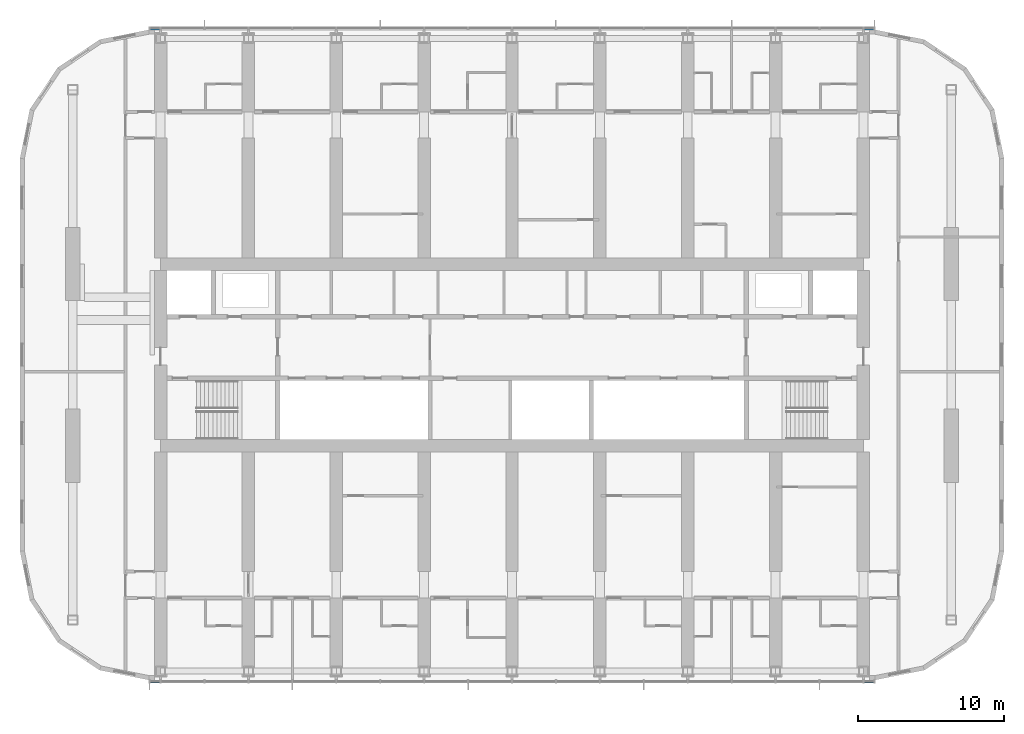
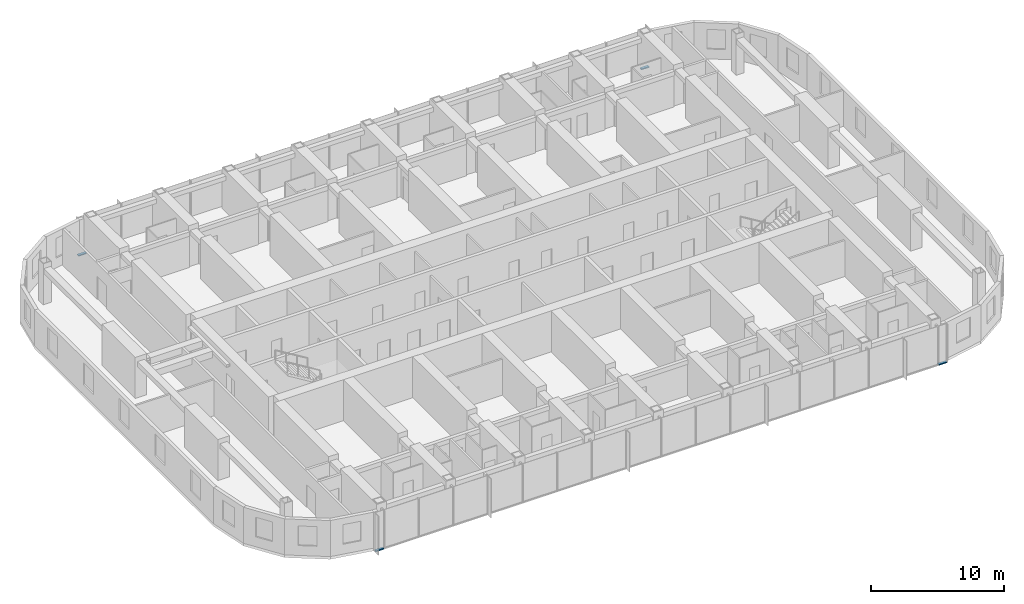
# One storey, part 6 of 22: 4 members, 2 elements without a shape of their own.
"""IFC4 building model written with IfcOpenShell, lengths in metres."""

import ifcopenshell
import ifcopenshell.guid

model = None  # the IFC model being written
_history = None  # IfcOwnerHistory: only IFC2X3 demands one
_inside = {}  # id of a spatial element -> (the spatial element, [elements in it])
_under = {}  # id of a project, library or spatial element -> (it, [spatial elements below it])
_declared = {}  # id of a project -> (the project, [libraries it declares])
_typed = {}  # id of a type object -> (the type object, [elements of that type])
_made_of = {}  # id of a material, layer set ... -> (it, [elements and type objects made of it])


def new_model(schema):
    """Start an empty IFC model of exactly this schema.

    Asked for "IFC4X3", IfcOpenShell would pick the latest addendum, in which some entities
    have other attributes; the version numbers below select the first issue.
    IFC2X3 requires an IfcOwnerHistory on every rooted entity: one is made here for all.
    """
    global model, _history
    if schema == "IFC4X3":
        model = ifcopenshell.file(schema_version=(4, 3, 0, 0))
    else:
        model = ifcopenshell.file(schema=schema)
    _inside.clear()
    _under.clear()
    _declared.clear()
    _typed.clear()
    _made_of.clear()
    _history = None
    if model.schema == "IFC2X3":
        org = make("IfcOrganization", Name="unknown")
        user = make(
            "IfcPersonAndOrganization",
            ThePerson=make("IfcPerson", FamilyName="unknown"),
            TheOrganization=org,
        )
        app = make(
            "IfcApplication",
            ApplicationDeveloper=org,
            Version="unknown",
            ApplicationFullName="unknown",
            ApplicationIdentifier="unknown",
        )
        _history = make(
            "IfcOwnerHistory",
            OwningUser=user,
            OwningApplication=app,
            ChangeAction="ADDED",
            CreationDate=0,
        )
    return model


def make(cls, **values):
    """One entity of the class cls with the attributes given. An attribute that is None is left unset."""
    return model.create_entity(
        cls, **{name: value for name, value in values.items() if value is not None}
    )


def rooted(cls, **values):
    """An entity with a GlobalId (a new one), such as an element, a storey or a relation."""
    return make(cls, GlobalId=ifcopenshell.guid.new(), OwnerHistory=_history, **values)


def si_unit(unit_type, name, prefix=None):
    """IfcSIUnit, for example si_unit("LENGTHUNIT", "METRE", prefix="MILLI")."""
    return make("IfcSIUnit", UnitType=unit_type, Prefix=prefix, Name=name)


def assignment(units):
    """IfcUnitAssignment: the units of a project."""
    return None if units is None else make("IfcUnitAssignment", Units=units)


def point(xyz):
    """IfcCartesianPoint."""
    return None if xyz is None else make("IfcCartesianPoint", Coordinates=xyz)


def direction(xyz):
    """IfcDirection."""
    return None if xyz is None else make("IfcDirection", DirectionRatios=xyz)


def frame(location, z_axis=None, x_axis=None):
    """IfcAxis2Placement3D, a coordinate frame: its origin and axes. An axis left out is left unset."""
    return make(
        "IfcAxis2Placement3D",
        Location=point(location),
        Axis=direction(z_axis),
        RefDirection=direction(x_axis),
    )


def frame_2d(location, x_axis=None):
    """IfcAxis2Placement2D, a coordinate frame in the plane: its origin and x axis."""
    return make(
        "IfcAxis2Placement2D", Location=point(location), RefDirection=direction(x_axis)
    )


def origin():
    """The frame at (0, 0, 0) with its axes left unset."""
    return frame((0.0, 0.0, 0.0))


def origin_2d():
    """The frame at (0, 0) in the plane with its x axis left unset."""
    return frame_2d((0.0, 0.0))


def place(relative_to, where):
    """IfcLocalPlacement: puts the frame where relative to a parent placement (None: the world)."""
    return make(
        "IfcLocalPlacement", PlacementRelTo=relative_to, RelativePlacement=where
    )


def context(
    kind, dimensions, precision=None, world=None, true_north=None, identifier=None
):
    """IfcGeometricRepresentationContext, for example the 3D "Model" context."""
    return make(
        "IfcGeometricRepresentationContext",
        ContextIdentifier=identifier,
        ContextType=kind,
        CoordinateSpaceDimension=dimensions,
        Precision=precision,
        WorldCoordinateSystem=world,
        TrueNorth=true_north,
    )


def subcontext(parent, identifier, kind, view, scale=None):
    """IfcGeometricRepresentationSubContext, for example "Body" below "Model"."""
    return make(
        "IfcGeometricRepresentationSubContext",
        ContextIdentifier=identifier,
        ContextType=kind,
        ParentContext=parent,
        TargetScale=scale,
        TargetView=view,
    )


def project(units=None, contexts=None):
    """IfcProject with its units and contexts."""
    return rooted(
        "IfcProject",
        Name="project",
        RepresentationContexts=contexts,
        UnitsInContext=assignment(units),
    )


def spatial(cls, under=None, at=None, **own):
    """A site, building, storey or space (cls), placed at a placement, below another one or the project."""
    s = rooted(cls, ObjectPlacement=at, **own)
    if under is not None:
        _under.setdefault(under.id(), (under, []))[1].append(s)
    return s


def profile(cls, at=None, kind="AREA", **sizes):
    """A parametric profile (cls). Its sizes go by their IFC names, for example OverallWidth=200.0."""
    return make(cls, ProfileType=kind, Position=at, **sizes)


def rectangle(**sizes):
    """IfcRectangleProfileDef."""
    return profile("IfcRectangleProfileDef", **sizes)


def extrude(swept, where, along, depth):
    """IfcExtrudedAreaSolid: the profile swept, set in the frame where, extruded along a direction by depth."""
    return make(
        "IfcExtrudedAreaSolid",
        SweptArea=swept,
        Position=where,
        ExtrudedDirection=direction(along),
        Depth=depth,
    )


def shape(context_of_items, identifier, shape_type, items):
    """IfcShapeRepresentation: the items that make up one representation, for example the "Body"."""
    return make(
        "IfcShapeRepresentation",
        ContextOfItems=context_of_items,
        RepresentationIdentifier=identifier,
        RepresentationType=shape_type,
        Items=items,
    )


def material(Name=None, Category=None):
    """IfcMaterial."""
    return make("IfcMaterial", Name=Name, Category=Category)


def material_profile(
    of_material, cross_section, Name=None, Category=None, Priority=None
):
    """IfcMaterialProfile: a cross section and its material."""
    return make(
        "IfcMaterialProfile",
        Name=Name,
        Material=of_material,
        Profile=cross_section,
        Priority=Priority,
        Category=Category,
    )


def profile_set(profiles, Name=None, composite=None):
    """IfcMaterialProfileSet."""
    return make(
        "IfcMaterialProfileSet",
        Name=Name,
        MaterialProfiles=profiles,
        CompositeProfile=composite,
    )


def made_of(thing, what):
    """Note that an element or type object is made of a material, layer set ...; save() writes the relation."""
    if what is not None:
        _made_of.setdefault(what.id(), (what, []))[1].append(thing)
    return thing


def type_object(cls, material=None, **own):
    """A type object (cls), such as IfcWallType, which elements share."""
    return made_of(rooted(cls, **own), material)


def element(
    cls,
    number,
    at=None,
    inside=None,
    cuts=None,
    type_object=None,
    material=None,
    context=None,
    identifier="Body",
    shape_type=None,
    held_by="IfcProductDefinitionShape",
    body=None,
    shapes=None,
    **own,
):
    """One element of the class cls, such as IfcWall. Its Tag is "e" and its number.

    at: its placement. inside: the storey or other place that contains it. cuts: it is an
    opening in that element (IfcRelVoidsElement). A single representation is given by context,
    identifier, shape_type and body (its items); several are given by shapes. held_by: the class
    of the entity that holds the representations. save() writes the other relations.
    """
    e = rooted(cls, Tag="e%d" % number, ObjectPlacement=at, **own)
    if body is not None:
        shapes = [shape(context, identifier, shape_type, body)]
    if shapes is not None:
        e.Representation = make(held_by, Representations=shapes)
    if inside is not None:
        _inside.setdefault(inside.id(), (inside, []))[1].append(e)
    if cuts is not None:
        rooted(
            "IfcRelVoidsElement", RelatingBuildingElement=cuts, RelatedOpeningElement=e
        )
    if type_object is not None:
        _typed.setdefault(type_object.id(), (type_object, []))[1].append(e)
    return made_of(e, material)


def aggregate(whole, parts):
    """IfcRelAggregates: a whole, such as a stair, and the parts it consists of."""
    return rooted("IfcRelAggregates", RelatingObject=whole, RelatedObjects=parts)


def save(model, path):
    """Write the relations noted so far, then the file.

    IfcRelAggregates (storeys below a building ...), IfcRelContainedInSpatialStructure (elements
    in a storey), IfcRelDefinesByType, IfcRelAssociatesMaterial and IfcRelDeclares: one each for
    every whole, place, type object, material and project.
    """
    for whole, parts in _under.values():
        aggregate(whole, parts)
    for where, things in _inside.values():
        rooted(
            "IfcRelContainedInSpatialStructure",
            RelatedElements=things,
            RelatingStructure=where,
        )
    for kind, things in _typed.values():
        rooted("IfcRelDefinesByType", RelatedObjects=things, RelatingType=kind)
    for what, things in _made_of.values():
        rooted("IfcRelAssociatesMaterial", RelatedObjects=things, RelatingMaterial=what)
    for by, libraries in _declared.values():
        rooted("IfcRelDeclares", RelatingContext=by, RelatedDefinitions=libraries)
    model.write(path)


model = new_model("IFC4")

# Units and contexts
model_context = context("Model", 3, precision=1e-05, world=origin(), true_north=direction((0.0, 1.0)))
body_context = subcontext(model_context, "Body", "Model", "MODEL_VIEW")
ifc_project = project(units=[si_unit("LENGTHUNIT", "METRE"), si_unit("AREAUNIT", "SQUARE_METRE"), si_unit("VOLUMEUNIT", "CUBIC_METRE"), si_unit("PLANEANGLEUNIT", "RADIAN"), si_unit("MASSUNIT", "GRAM", prefix="KILO")], contexts=[model_context])

# Site, building, storey
site_placement = place(None, origin())
site = spatial("IfcSite", under=ifc_project, at=site_placement, CompositionType="ELEMENT")
building_placement = place(site_placement, origin())
building = spatial("IfcBuilding", under=site, at=building_placement, Name="Orbita Commons", CompositionType="ELEMENT")
storey_placement = place(building_placement, frame((0.0, 0.0, 189.85009765625)))
storey = spatial("IfcBuildingStorey", under=building, at=storey_placement, Name="L47", CompositionType="ELEMENT", Elevation=189.85009765625)

# Curtain wall, members
ifc_material_1 = material(Name="Anodised aluminium frame, pale silver", Category="aluminium")
curtain_wall_type = type_object("IfcCurtainWallType", Name="Unitised curtain wall CW-U, full-height vision", PredefinedType="NOTDEFINED", material=ifc_material_1)
curtain_wall_1_placement = place(storey_placement, origin())
curtain_wall_1 = element("IfcCurtainWall", 1, at=curtain_wall_1_placement, inside=storey, type_object=curtain_wall_type, Name="Curtain wall south L47", PredefinedType="NOTDEFINED")
ifc_material_2 = material(Name="Anodised aluminium, pale silver", Category="aluminium")
ifc_material_profile = material_profile(ifc_material_2, rectangle(XDim=0.219970703125, YDim=0.10009765625, at=origin_2d()), Name="AL 220x100")
ifc_profile_set = profile_set([ifc_material_profile], Name="Anodised aluminium, pale silver")
member_type = type_object("IfcMemberType", Name="Curtain wall stack transom 220x100", PredefinedType="USERDEFINED", material=ifc_profile_set)
member_1_placement = place(storey_placement, frame((17.280029296875, 9.68994140625, -0.2001953125), z_axis=(1.0, 0.0, 0.0), x_axis=(0.0, 1.0, 0.0)))
member_1 = element("IfcMember", 2, at=member_1_placement, type_object=member_type, Name="Transom 1.1 CW-L47-S", ObjectType="TRANSOM", PredefinedType="USERDEFINED", context=body_context, shape_type="SweptSolid", body=[
    extrude(rectangle(XDim=0.219970703125, YDim=0.10009765625, at=origin_2d()), origin(), (0.0, 0.0, 1.0), 0.679931640625),
])
member_2_placement = place(storey_placement, frame((66.0400390625, 9.68994140625, -0.2001953125), z_axis=(1.0, 0.0, 0.0), x_axis=(0.0, 1.0, 0.0)))
member_2 = element("IfcMember", 3, at=member_2_placement, type_object=member_type, Name="Transom 18.1 CW-L47-S", ObjectType="TRANSOM", PredefinedType="USERDEFINED", context=body_context, shape_type="SweptSolid", body=[
    extrude(rectangle(XDim=0.219970703125, YDim=0.10009765625, at=origin_2d()), origin(), (0.0, 0.0, 1.0), 0.679931640625),
])
aggregate(curtain_wall_1, [member_1, member_2])

curtain_wall_2_placement = place(storey_placement, origin())
curtain_wall_2 = element("IfcCurtainWall", 4, at=curtain_wall_2_placement, inside=storey, type_object=curtain_wall_type, Name="Curtain wall north L47", PredefinedType="NOTDEFINED")
member_3_placement = place(storey_placement, frame((66.719970703125, 54.31005859375, -0.2001953125), z_axis=(-1.0, 0.0, 0.0), x_axis=(0.0, -1.0, 0.0)))
member_3 = element("IfcMember", 5, at=member_3_placement, type_object=member_type, Name="Transom 1.1 CW-L47-N", ObjectType="TRANSOM", PredefinedType="USERDEFINED", context=body_context, shape_type="SweptSolid", body=[
    extrude(rectangle(XDim=0.219970703125, YDim=0.10009765625, at=origin_2d()), origin(), (0.0, 0.0, 1.0), 0.679931640625),
])
member_4_placement = place(storey_placement, frame((17.9599609375, 54.31005859375, -0.2001953125), z_axis=(-1.0, 0.0, 0.0), x_axis=(0.0, -1.0, 0.0)))
member_4 = element("IfcMember", 6, at=member_4_placement, type_object=member_type, Name="Transom 18.1 CW-L47-N", ObjectType="TRANSOM", PredefinedType="USERDEFINED", context=body_context, shape_type="SweptSolid", body=[
    extrude(rectangle(XDim=0.219970703125, YDim=0.10009765625, at=origin_2d()), origin(), (0.0, 0.0, 1.0), 0.679931640625),
])
aggregate(curtain_wall_2, [member_3, member_4])

save(model, "model.ifc")
